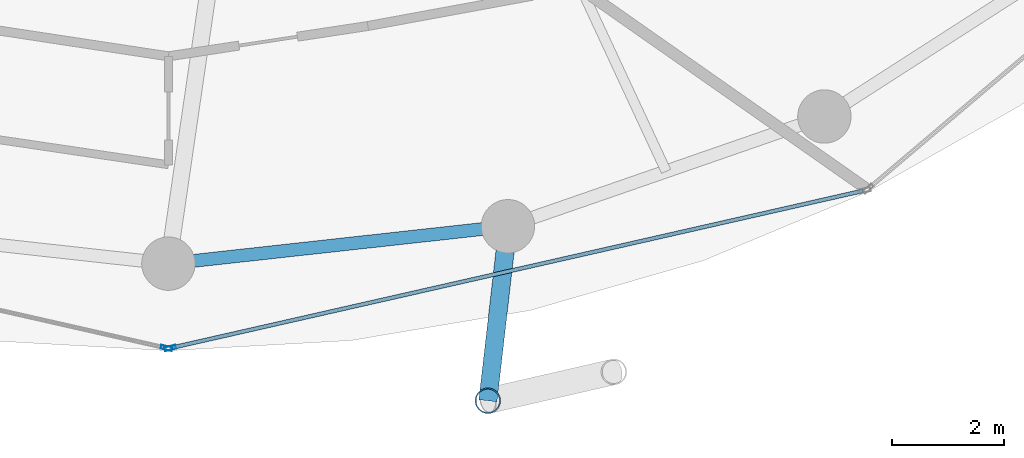
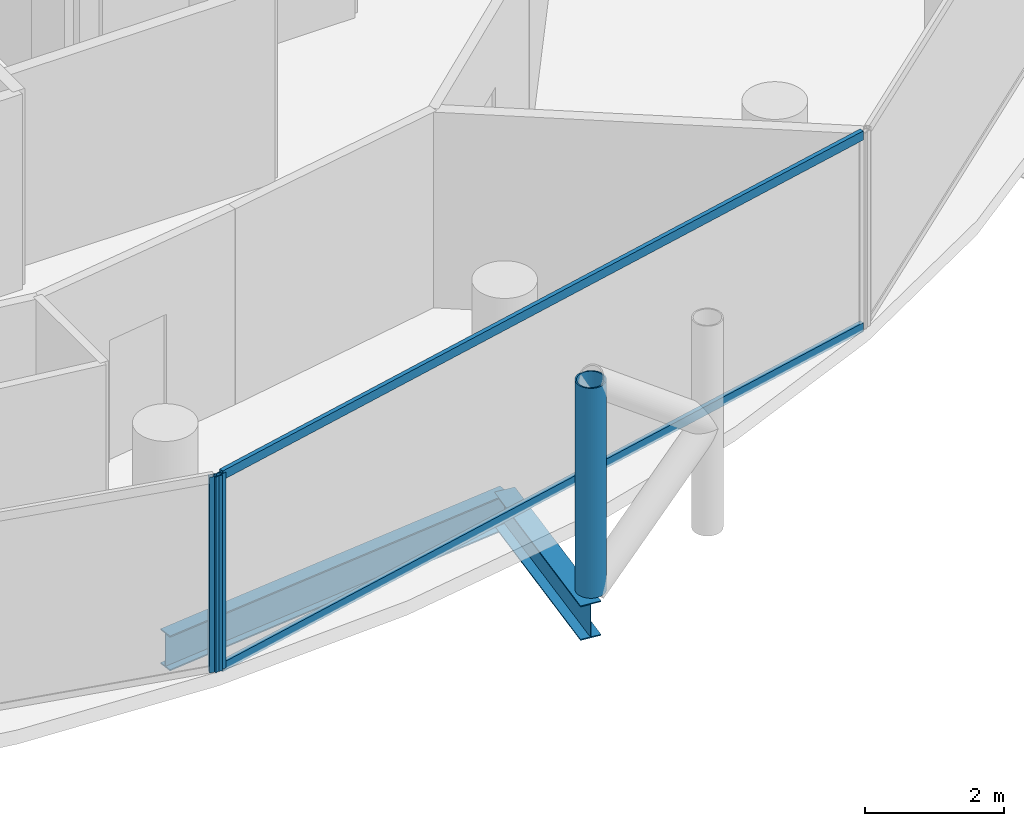
# One storey, part 4 of 26: 5 members, 2 beams, 2 elements without a shape of their own.
"""IFC4 building model written with IfcOpenShell, lengths in metres."""

from ifc_helpers import new_model, si_unit, direction, frame, origin, origin_2d, place, context, subcontext, project, spatial, hollow_rectangle, hollow_circle, i_section, extrude, material, layer, layer_set, material_profile, profile_set, type_object, element, aggregate, save


model = new_model("IFC4")

# Units and contexts
model_context = context("Model", 3, precision=1e-05, world=origin(), true_north=direction((0.0, 1.0)))
body_context = subcontext(model_context, "Body", "Model", "MODEL_VIEW")
ifc_project = project(units=[si_unit("LENGTHUNIT", "METRE"), si_unit("AREAUNIT", "SQUARE_METRE"), si_unit("VOLUMEUNIT", "CUBIC_METRE"), si_unit("PLANEANGLEUNIT", "RADIAN"), si_unit("MASSUNIT", "GRAM", prefix="KILO")], contexts=[model_context])

# Site, building, storey
site_placement = place(None, origin())
site = spatial("IfcSite", under=ifc_project, at=site_placement, CompositionType="ELEMENT")
building_placement = place(site_placement, origin())
building = spatial("IfcBuilding", under=site, at=building_placement, Name="Nuhasar Tower", CompositionType="ELEMENT")
storey_placement = place(building_placement, frame((0.0, 0.0, 151.550048828125)))
storey = spatial("IfcBuildingStorey", under=building, at=storey_placement, Name="L36", CompositionType="ELEMENT", Elevation=151.550048828125)

# Beams
ifc_material_1 = material(Name="Steel S355", Category="steel")
ifc_material_profile_1 = material_profile(ifc_material_1, i_section(OverallWidth=0.22998046875, OverallDepth=0.616943359375, WebThickness=0.01318359375, FlangeThickness=0.022216796875, at=origin_2d()), Name="W24X94")
ifc_profile_set_1 = profile_set([ifc_material_profile_1], Name="Steel S355")
beam_type_1 = type_object("IfcBeamType", Name="BM-RING-W24X94", PredefinedType="SPANDREL", material=ifc_profile_set_1)
beam_1_placement = place(storey_placement, frame((39.0, 7.25, -0.55810546875), z_axis=(0.993981289157, 0.109549974015, 0.0), x_axis=(-0.109549974015, 0.993981289157, 0.0)))
element("IfcBeam", 1, at=beam_1_placement, inside=storey, type_object=beam_type_1, Name="L36 Perimeter Ring Spandrel 19", PredefinedType="SPANDREL", context=body_context, shape_type="SweptSolid", body=[
    extrude(i_section(OverallWidth=0.22998046875, OverallDepth=0.616943359375, WebThickness=0.01318359375, FlangeThickness=0.022216796875, at=origin_2d()), origin(), (0.0, 0.0, 1.0), 6.07958984375),
])
ifc_material_profile_2 = material_profile(ifc_material_1, i_section(OverallWidth=0.323974609375, OverallDepth=0.611083984375, WebThickness=0.0126953125, FlangeThickness=0.01904296875, at=origin_2d()), Name="W24X104")
ifc_profile_set_2 = profile_set([ifc_material_profile_2], Name="Steel S355")
beam_type_2 = type_object("IfcBeamType", Name="BM-TIE-W24X104", PredefinedType="BEAM", material=ifc_profile_set_2)
beam_2_placement = place(storey_placement, frame((45.04296875, 7.916015625, -0.554931640625), z_axis=(-0.114167639647, -0.993461499031, 0.0), x_axis=(0.993461499031, -0.114167639647, 0.0)))
element("IfcBeam", 2, at=beam_2_placement, inside=storey, type_object=beam_type_2, Name="L36 Exoskeleton Node Tie Beam 10", PredefinedType="BEAM", context=body_context, shape_type="SweptSolid", body=[
    extrude(i_section(OverallWidth=0.323974609375, OverallDepth=0.611083984375, WebThickness=0.0126953125, FlangeThickness=0.01904296875, at=origin_2d()), origin(), (0.0, 0.0, 1.0), 3.12646484375),
])

# Curtain wall, member
ifc_material_2 = material(Name="Aluminium 6063-T6", Category="aluminium")
ifc_layer = layer(ifc_material_2, 0.199951171875)
ifc_layer_set = layer_set([ifc_layer], Name="Aluminium 6063-T6")
curtain_wall_type = type_object("IfcCurtainWallType", Name="CW-Z2-HTL", PredefinedType="NOTDEFINED", material=ifc_layer_set)
curtain_wall_1_placement = place(storey_placement, origin())
curtain_wall_1 = element("IfcCurtainWall", 3, at=curtain_wall_1_placement, inside=storey, type_object=curtain_wall_type, Name="L36 Unitised Curtain Wall 09", PredefinedType="NOTDEFINED")
ifc_material_profile_3 = material_profile(ifc_material_2, hollow_rectangle(XDim=0.070068359375, YDim=0.199951171875, WallThickness=0.0048828125, at=origin_2d()), Name="CWM-3")
ifc_profile_set_3 = profile_set([ifc_material_profile_3], Name="Aluminium 6063-T6")
member_type_1 = type_object("IfcMemberType", Name="CW-MUL-S3", PredefinedType="MULLION", material=ifc_profile_set_3)
member_1_placement = place(storey_placement, frame((38.9658203125, 5.747802734375, 0.0), z_axis=(0.0, 0.0, 1.0), x_axis=(0.22139729566, 0.975183694221, 0.0)))
member_1 = element("IfcMember", 4, at=member_1_placement, type_object=member_type_1, Name="CW-Z2 mullion 2", PredefinedType="MULLION", context=body_context, shape_type="SweptSolid", body=[
    extrude(hollow_rectangle(XDim=0.070068359375, YDim=0.199951171875, WallThickness=0.0048828125, at=origin_2d()), origin(), (0.0, 0.0, 1.0), 3.449951171875),
])
aggregate(curtain_wall_1, [member_1])

# Curtain wall, members
curtain_wall_2_placement = place(storey_placement, origin())
curtain_wall_2 = element("IfcCurtainWall", 5, at=curtain_wall_2_placement, inside=storey, type_object=curtain_wall_type, Name="L36 Unitised Curtain Wall 10", PredefinedType="NOTDEFINED")
member_2_placement = place(storey_placement, frame((39.0341796875, 5.747802734375, 0.0), z_axis=(0.0, 0.0, 1.0), x_axis=(-0.22139729566, 0.975183694221, 0.0)))
member_2 = element("IfcMember", 6, at=member_2_placement, type_object=member_type_1, Name="CW-Z2 mullion 1", PredefinedType="MULLION", context=body_context, shape_type="SweptSolid", body=[
    extrude(hollow_rectangle(XDim=0.070068359375, YDim=0.199951171875, WallThickness=0.0048828125, at=origin_2d()), origin(), (0.0, 0.0, 1.0), 3.449951171875),
])
ifc_material_profile_4 = material_profile(ifc_material_2, hollow_rectangle(XDim=0.070068359375, YDim=0.159912109375, WallThickness=0.00439453125, at=origin_2d()), Name="CWT-3")
ifc_profile_set_4 = profile_set([ifc_material_profile_4], Name="Aluminium 6063-T6")
member_type_2 = type_object("IfcMemberType", Name="CW-TRN-S3", PredefinedType="USERDEFINED", material=ifc_profile_set_4)
member_3_placement = place(storey_placement, frame((39.068359375, 5.755615234375, 0.034912109375), z_axis=(0.975187615691, 0.221380022142, 0.0), x_axis=(-0.221380022142, 0.975187615691, 0.0)))
member_3 = element("IfcMember", 7, at=member_3_placement, type_object=member_type_2, Name="CW-Z2 transom 1.1", ObjectType="TRANSOM", PredefinedType="USERDEFINED", context=body_context, shape_type="SweptSolid", body=[
    extrude(hollow_rectangle(XDim=0.070068359375, YDim=0.159912109375, WallThickness=0.00439453125, at=origin_2d()), origin(), (0.0, 0.0, 1.0), 12.606201171875),
])
member_4_placement = place(storey_placement, frame((39.068359375, 5.755615234375, 3.4150390625), z_axis=(0.975187615691, 0.221380022142, 0.0), x_axis=(-0.221380022142, 0.975187615691, 0.0)))
member_4 = element("IfcMember", 8, at=member_4_placement, type_object=member_type_2, Name="CW-Z2 transom 1.2", ObjectType="TRANSOM", PredefinedType="USERDEFINED", context=body_context, shape_type="SweptSolid", body=[
    extrude(hollow_rectangle(XDim=0.070068359375, YDim=0.159912109375, WallThickness=0.00439453125, at=origin_2d()), origin(), (0.0, 0.0, 1.0), 12.606201171875),
])
aggregate(curtain_wall_2, [member_2, member_3, member_4])

# Member
ifc_material_3 = material(Name="Steel S460", Category="steel")
ifc_material_profile_5 = material_profile(ifc_material_3, hollow_circle(Radius=0.228515625, WallThickness=0.022216796875, at=origin_2d()), Name="HSS457X22.2")
ifc_profile_set_5 = profile_set([ifc_material_profile_5], Name="Steel S460")
member_type_3 = type_object("IfcMemberType", Name="EXO-BRONZE-457", PredefinedType="BRACE", material=ifc_profile_set_5)
member_5_placement = place(storey_placement, frame((44.68603515625, 4.81005859375, 0.0), z_axis=(0.0, 0.0, 1.0), x_axis=(1.0, 0.0, 0.0)))
element("IfcMember", 9, at=member_5_placement, inside=storey, type_object=member_type_3, Name="L36 Exoskeleton Chord Column EC-10A", PredefinedType="BRACE", context=body_context, shape_type="SweptSolid", body=[
    extrude(hollow_circle(Radius=0.228515625, WallThickness=0.022216796875, at=origin_2d()), origin(), (0.0, 0.0, 1.0), 3.699951171875),
])

save(model, "model.ifc")
